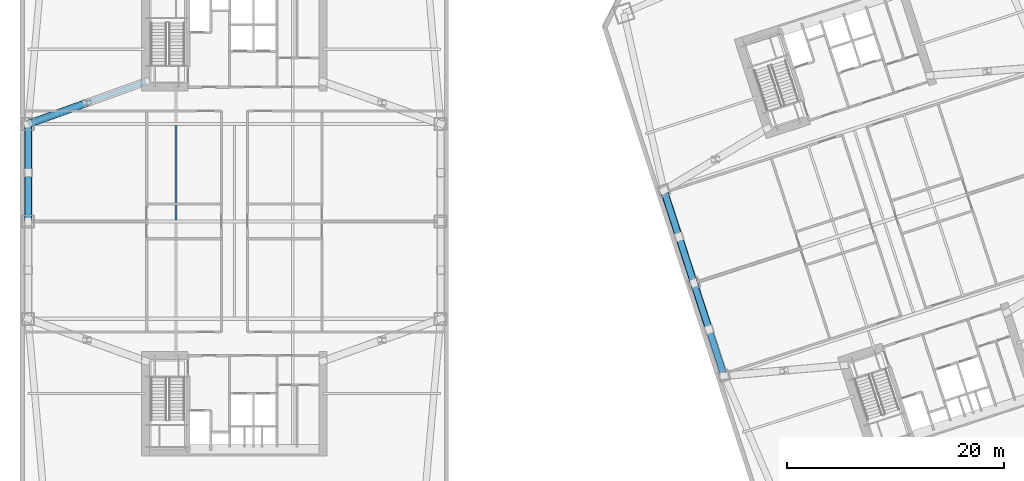
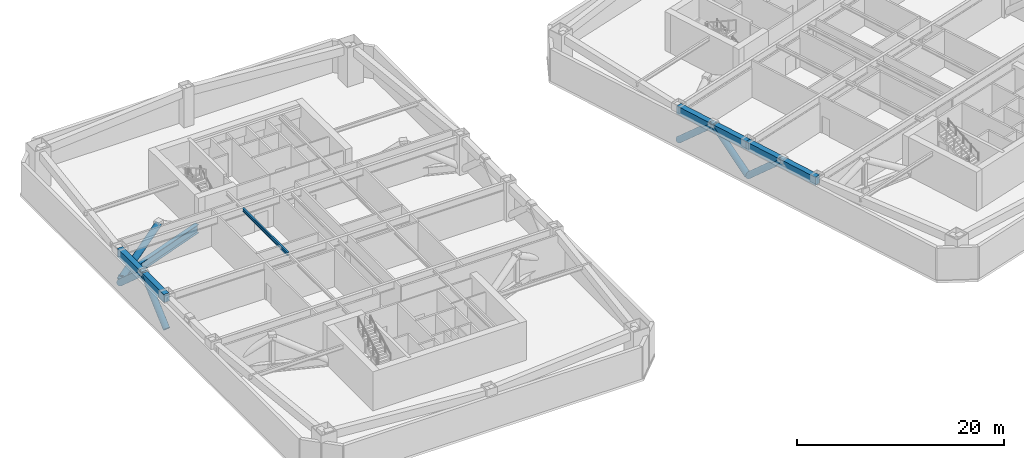
# One storey, part 3 of 16: 6 members, 5 beams.
"""IFC4 building model written with IfcOpenShell, lengths in metres."""

from ifc_helpers import new_model, si_unit, direction, frame, origin, origin_2d, place, context, subcontext, project, spatial, rectangle, hollow_circle, i_section, extrude, material, material_profile, profile_set, type_object, element, save


model = new_model("IFC4")

# Units and contexts
model_context = context("Model", 3, precision=1e-05, world=origin(), true_north=direction((0.0, 1.0)))
body_context = subcontext(model_context, "Body", "Model", "MODEL_VIEW")
ifc_project = project(units=[si_unit("LENGTHUNIT", "METRE"), si_unit("AREAUNIT", "SQUARE_METRE"), si_unit("VOLUMEUNIT", "CUBIC_METRE"), si_unit("PLANEANGLEUNIT", "RADIAN"), si_unit("MASSUNIT", "GRAM", prefix="KILO")], contexts=[model_context])

# Site, building, storey
site_placement = place(None, origin())
site = spatial("IfcSite", under=ifc_project, at=site_placement, CompositionType="ELEMENT")
building_placement = place(site_placement, origin())
building = spatial("IfcBuilding", under=site, at=building_placement, Name="Qiaolan Cultural Towers", CompositionType="ELEMENT")
storey_placement = place(building_placement, frame((0.0, 0.0, 46.0)))
storey = spatial("IfcBuildingStorey", under=building, at=storey_placement, Name="L10", CompositionType="ELEMENT", Elevation=46.0)

# Beams
ifc_material_1 = material(Name="Steel Q390GJB", Category="steel")
ifc_material_profile_1 = material_profile(ifc_material_1, i_section(OverallWidth=0.449951171875, OverallDepth=1.0, WebThickness=0.02392578125, FlangeThickness=0.0400390625, at=origin_2d()), Name="BH1000x450x24x40")
ifc_profile_set_1 = profile_set([ifc_material_profile_1], Name="Steel Q390GJB")
beam_type_1 = type_object("IfcBeamType", Name="BM-BH1000x450x24x40", PredefinedType="BEAM", material=ifc_profile_set_1)
beam_1_placement = place(storey_placement, frame((21.800048828125, 46.89990234375, 0.5), z_axis=(-0.941056813551, -0.338248538312, 0.0), x_axis=(0.338248538312, -0.941056813551, 0.0)))
element("IfcBeam", 1, at=beam_1_placement, inside=storey, type_object=beam_type_1, Name="L10 T1 Outrigger Bottom Chord Girder WN", PredefinedType="BEAM", context=body_context, shape_type="SweptSolid", body=[
    extrude(i_section(OverallWidth=0.449951171875, OverallDepth=1.0, WebThickness=0.02392578125, FlangeThickness=0.0400390625, at=origin_2d()), origin(), (0.0, 0.0, 1.0), 11.52978515625),
])
ifc_material_2 = material(Name="Steel Q355B", Category="steel")
ifc_material_profile_2 = material_profile(ifc_material_2, i_section(OverallWidth=0.199951171875, OverallDepth=0.39990234375, WebThickness=0.008056640625, FlangeThickness=0.012939453125, at=origin_2d()), Name="HN400x200x8x13")
ifc_profile_set_2 = profile_set([ifc_material_profile_2], Name="Steel Q355B")
beam_type_2 = type_object("IfcBeamType", Name="BM-JST-HN400x200x8x13", PredefinedType="JOIST", material=ifc_profile_set_2)
beam_2_placement = place(storey_placement, frame((24.60009765625, 34.14990234375, 4.139892578125), z_axis=(0.0, 1.0, 0.0), x_axis=(-1.0, 0.0, 0.0)))
element("IfcBeam", 2, at=beam_2_placement, inside=storey, type_object=beam_type_2, Name="L10 T1 Secondary Floor Joist U1-3", PredefinedType="JOIST", context=body_context, shape_type="SweptSolid", body=[
    extrude(i_section(OverallWidth=0.199951171875, OverallDepth=0.39990234375, WebThickness=0.008056640625, FlangeThickness=0.012939453125, at=origin_2d()), origin(), (0.0, 0.0, 1.0), 8.7001953125),
])
ifc_material_3 = material(Name="Concrete C50", Category="concrete")
ifc_material_profile_3 = material_profile(ifc_material_3, rectangle(XDim=0.60009765625, YDim=0.949951171875, at=origin_2d()), Name="RC600x950")
ifc_profile_set_3 = profile_set([ifc_material_profile_3], Name="Concrete C50")
beam_type_3 = type_object("IfcBeamType", Name="BM-SPD-RC600x950", PredefinedType="SPANDREL", material=ifc_profile_set_3)
for number, where, z_axis, x_axis, name in (
    (3, (10.949951171875, 43.0, 3.864990234375), (0.0, -1.0, 0.0), (1.0, 0.0, 0.0), "L10 T1 Perimeter Spandrel Beam 10"),
    (4, (69.671875, 36.858154296875, 3.864990234375), (0.309024734286, -0.951054001411, 0.0), (0.951054001411, 0.309024734286, 0.0), "L10 T2 Perimeter Spandrel Beam 10"),
    (5, (72.453125, 28.298583984375, 3.864990234375), (0.309000197986, -0.951061973609, 0.0), (0.951061973609, 0.309000197986, 0.0), "L10 T2 Perimeter Spandrel Beam 11"),
):
    element("IfcBeam", number, at=place(storey_placement, frame(where, z_axis=z_axis, x_axis=x_axis)), inside=storey, type_object=beam_type_3, Name=name, PredefinedType="SPANDREL", context=body_context, shape_type="SweptSolid", body=[
        extrude(rectangle(XDim=0.60009765625, YDim=0.949951171875, at=origin_2d()), origin(), (0.0, 0.0, 1.0), 9.0),
    ])

# Members
ifc_material_4 = material(Name="Steel Q355B", Category="steel")
ifc_material_profile_4 = material_profile(ifc_material_4, hollow_circle(Radius=0.35009765625, WallThickness=0.034912109375, at=origin_2d()), Name="CHS700x35")
ifc_profile_set_4 = profile_set([ifc_material_profile_4], Name="Steel Q355B")
member_type = type_object("IfcMemberType", Name="MBR-BRC-CHS700x35", PredefinedType="BRACE", material=ifc_profile_set_4)
member_placement = place(storey_placement, frame((16.375, 44.949951171875, 4.080078125), z_axis=(-0.799441770104, -0.287347167896, -0.527564651312), x_axis=(0.338248538312, -0.941056813551, 0.0)))
element("IfcMember", 6, at=member_placement, inside=storey, type_object=member_type, Name="L10 T1 Outrigger Truss Diagonal WN-2", PredefinedType="BRACE", context=body_context, shape_type="SweptSolid", body=[
    extrude(hollow_circle(Radius=0.35009765625, WallThickness=0.034912109375, at=origin_2d()), origin(), (0.0, 0.0, 1.0), 6.7861328125),
])
for number, where, z_axis, x_axis, name in (
    (7, (10.949951171875, 34.0, 0.199951171875), (0.0, 0.749061716489, 0.662500222559), (-1.0, 0.0, 0.0), "L10 T1 Perimeter Belt Truss W2-A"),
    (8, (10.949951171875, 38.5, 4.179931640625), (0.0, 0.749061716489, -0.662500222559), (-1.0, 0.0, 0.0), "L10 T1 Perimeter Belt Truss W2-B"),
    (9, (73.843505859375, 24.018798828125, 4.179931640625), (-0.23144113653, 0.71240792333, -0.662502793276), (-0.951069945308, -0.308975661068, 0.0), "L10 T2 Perimeter Belt Truss W1-B"),
    (10, (72.453125, 28.298583984375, 0.199951171875), (-0.231479598497, 0.712401222199, 0.662496561568), (-0.951054001411, -0.309024734286, 0.0), "L10 T2 Perimeter Belt Truss W2-A"),
    (11, (71.0625, 32.578369140625, 4.179931640625), (-0.231479598497, 0.712401222199, -0.662496561568), (-0.951054001411, -0.309024734286, 0.0), "L10 T2 Perimeter Belt Truss W2-B"),
):
    element("IfcMember", number, at=place(storey_placement, frame(where, z_axis=z_axis, x_axis=x_axis)), inside=storey, type_object=member_type, Name=name, PredefinedType="BRACE", context=body_context, shape_type="SweptSolid", body=[
        extrude(hollow_circle(Radius=0.35009765625, WallThickness=0.034912109375, at=origin_2d()), origin(), (0.0, 0.0, 1.0), 6.007568359375),
    ])

save(model, "model.ifc")
